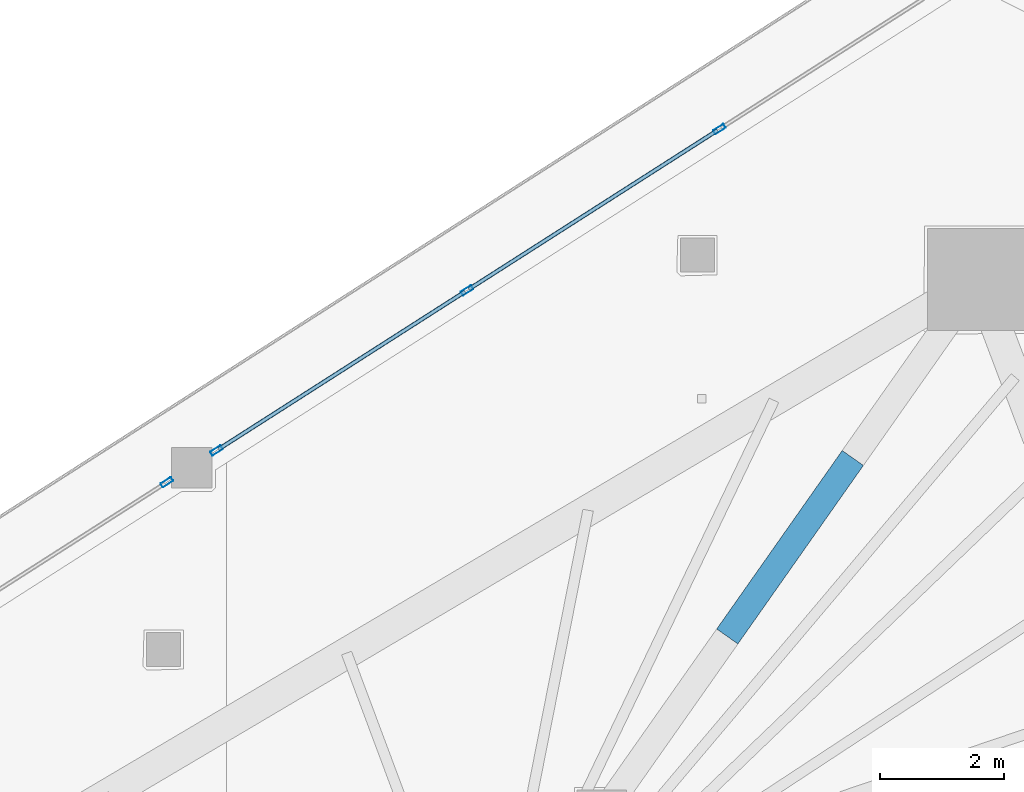
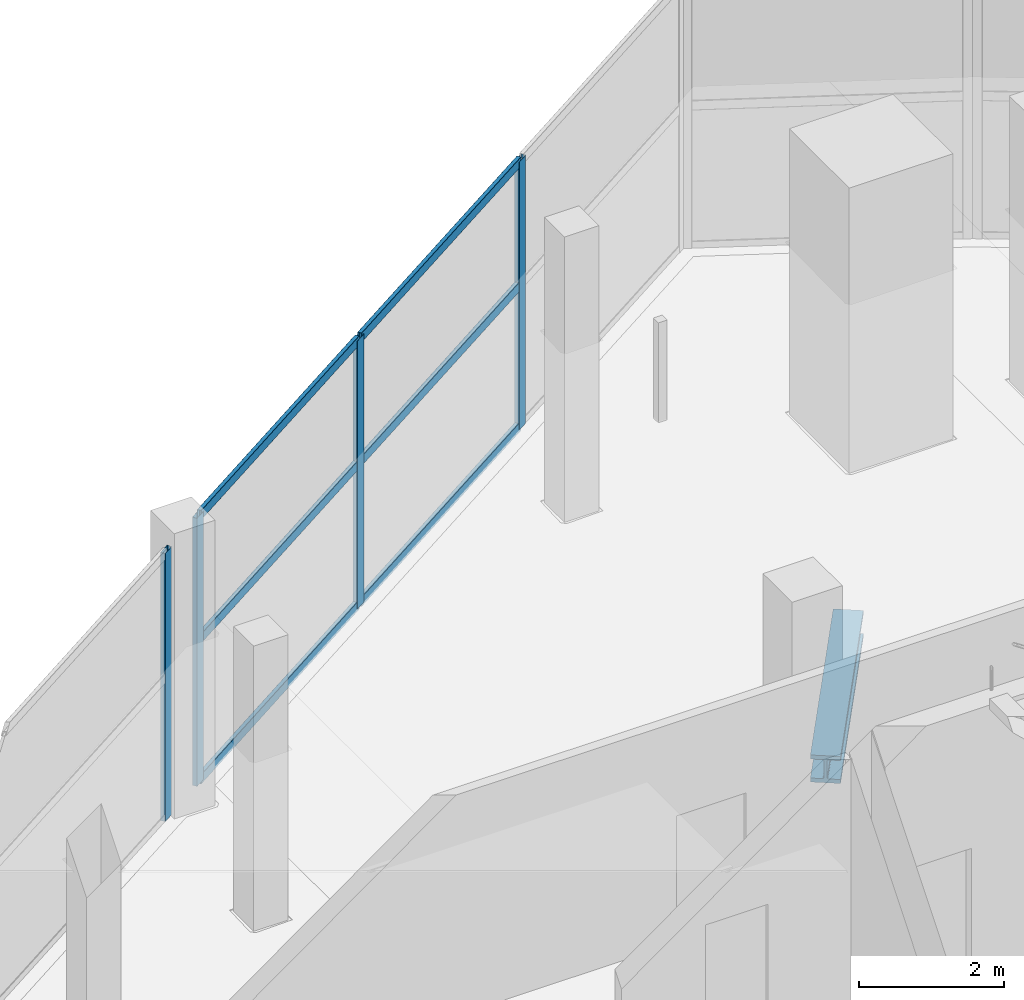
# One storey, part 18 of 36: 11 members, 2 elements without a shape of their own.
"""IFC4 building model written with IfcOpenShell, lengths in metres."""

from ifc_helpers import new_model, si_unit, direction, frame, origin, origin_2d, place, context, subcontext, project, spatial, hollow_rectangle, i_section, extrude, material, layer, layer_set, material_profile, profile_set, type_object, element, aggregate, save


model = new_model("IFC4")

# Units and contexts
model_context = context("Model", 3, precision=1e-05, world=origin(), true_north=direction((0.0, 1.0)))
body_context = subcontext(model_context, "Body", "Model", "MODEL_VIEW")
ifc_project = project(units=[si_unit("LENGTHUNIT", "METRE"), si_unit("AREAUNIT", "SQUARE_METRE"), si_unit("VOLUMEUNIT", "CUBIC_METRE"), si_unit("PLANEANGLEUNIT", "RADIAN"), si_unit("MASSUNIT", "GRAM", prefix="KILO")], contexts=[model_context])

# Site, building, storey
site_placement = place(None, origin())
site = spatial("IfcSite", under=ifc_project, at=site_placement, CompositionType="ELEMENT")
building_placement = place(site_placement, origin())
building = spatial("IfcBuilding", under=site, at=building_placement, Name="Qorvath Tower", CompositionType="ELEMENT")
storey_placement = place(building_placement, frame((0.0, 0.0, 255.0)))
storey = spatial("IfcBuildingStorey", under=building, at=storey_placement, Name="L59", CompositionType="ELEMENT", Elevation=255.0)

# Curtain wall, members
ifc_material_1 = material(Name="Anodised aluminium and triple low-E glass", Category="aluminium")
ifc_layer = layer(ifc_material_1, 0.179931640625)
ifc_layer_set = layer_set([ifc_layer], Name="CW-SYS-5")
curtain_wall_type = type_object("IfcCurtainWallType", Name="CW-SYS-5", PredefinedType="NOTDEFINED", material=ifc_layer_set)
curtain_wall_1_placement = place(storey_placement, origin())
curtain_wall_1 = element("IfcCurtainWall", 1, at=curtain_wall_1_placement, inside=storey, type_object=curtain_wall_type, Name="Curtain Wall CW-5 CW-T-L59-16.1", PredefinedType="NOTDEFINED")
ifc_material_2 = material(Name="Anodised aluminium 6063-T6", Category="aluminium")
ifc_material_profile_1 = material_profile(ifc_material_2, hollow_rectangle(XDim=0.074951171875, YDim=0.199951171875, WallThickness=0.00390625, InnerFilletRadius=0.00390625, OuterFilletRadius=0.008056640625, at=origin_2d()), Name="CWM 200x75")
ifc_profile_set_1 = profile_set([ifc_material_profile_1], Name="Anodised aluminium 6063-T6")
member_type_1 = type_object("IfcMemberType", Name="CWM-200", PredefinedType="MULLION", material=ifc_profile_set_1)
member_1_placement = place(storey_placement, frame((-21.69873046875, 22.53173828125, 0.0), z_axis=(0.0, 0.0, 1.0), x_axis=(0.538534907106, -0.842603200699, 0.0)))
member_1 = element("IfcMember", 2, at=member_1_placement, type_object=member_type_1, Name="CW-5 mullion 2", PredefinedType="MULLION", context=body_context, shape_type="SweptSolid", body=[
    extrude(hollow_rectangle(XDim=0.074951171875, YDim=0.199951171875, WallThickness=0.00390625, InnerFilletRadius=0.00390625, OuterFilletRadius=0.008056640625, at=origin_2d()), origin(), (0.0, 0.0, 1.0), 4.510009765625),
])
member_2_placement = place(storey_placement, frame((-25.77685546875, 19.92529296875, 0.0), z_axis=(0.0, 0.0, 1.0), x_axis=(0.538534907106, -0.842603200699, 0.0)))
member_2 = element("IfcMember", 3, at=member_2_placement, type_object=member_type_1, Name="CW-5 mullion 3", PredefinedType="MULLION", context=body_context, shape_type="SweptSolid", body=[
    extrude(hollow_rectangle(XDim=0.074951171875, YDim=0.199951171875, WallThickness=0.00390625, InnerFilletRadius=0.00390625, OuterFilletRadius=0.008056640625, at=origin_2d()), origin(), (0.0, 0.0, 1.0), 4.510009765625),
])
member_3_placement = place(storey_placement, frame((-29.823486328125, 17.339111328125, 0.0), z_axis=(0.0, 0.0, 1.0), x_axis=(0.538534907106, -0.842603200699, 0.0)))
member_3 = element("IfcMember", 4, at=member_3_placement, type_object=member_type_1, Name="CW-5 mullion 4", PredefinedType="MULLION", context=body_context, shape_type="SweptSolid", body=[
    extrude(hollow_rectangle(XDim=0.074951171875, YDim=0.199951171875, WallThickness=0.00390625, InnerFilletRadius=0.00390625, OuterFilletRadius=0.008056640625, at=origin_2d()), origin(), (0.0, 0.0, 1.0), 4.510009765625),
])

# Curtain wall, member
curtain_wall_2_placement = place(storey_placement, origin())
curtain_wall_2 = element("IfcCurtainWall", 5, at=curtain_wall_2_placement, inside=storey, type_object=curtain_wall_type, Name="Curtain Wall CW-5 CW-T-L59-16.2", PredefinedType="NOTDEFINED")
member_4_placement = place(storey_placement, frame((-30.626708984375, 16.82568359375, 0.0), z_axis=(0.0, 0.0, 1.0), x_axis=(0.538554959343, -0.842590384331, 0.0)))
member_4 = element("IfcMember", 6, at=member_4_placement, type_object=member_type_1, Name="CW-5 mullion 1", PredefinedType="MULLION", context=body_context, shape_type="SweptSolid", body=[
    extrude(hollow_rectangle(XDim=0.074951171875, YDim=0.199951171875, WallThickness=0.00390625, InnerFilletRadius=0.00390625, OuterFilletRadius=0.008056640625, at=origin_2d()), origin(), (0.0, 0.0, 1.0), 4.510009765625),
])
aggregate(curtain_wall_2, [member_4])

# Member
ifc_material_3 = material(Name="Anodised aluminium 6063-T6", Category="aluminium")
ifc_material_profile_2 = material_profile(ifc_material_3, hollow_rectangle(XDim=0.06494140625, YDim=0.159912109375, WallThickness=0.00341796875, InnerFilletRadius=0.00341796875, OuterFilletRadius=0.007080078125, at=origin_2d()), Name="CWT 160x65")
ifc_profile_set_2 = profile_set([ifc_material_profile_2], Name="Anodised aluminium 6063-T6")
member_type_2 = type_object("IfcMemberType", Name="CWT-160", PredefinedType="USERDEFINED", material=ifc_profile_set_2)
member_5_placement = place(storey_placement, frame((-21.730224609375, 22.511474609375, 0.032470703125), z_axis=(-0.842630390436, -0.538492363096, 0.0), x_axis=(0.538492363096, -0.842630390436, 0.0)))
member_5 = element("IfcMember", 7, at=member_5_placement, type_object=member_type_2, Name="CW-5 transom 2.1", ObjectType="TRANSOM", PredefinedType="USERDEFINED", context=body_context, shape_type="SweptSolid", body=[
    extrude(hollow_rectangle(XDim=0.06494140625, YDim=0.159912109375, WallThickness=0.00341796875, InnerFilletRadius=0.00341796875, OuterFilletRadius=0.007080078125, at=origin_2d()), origin(), (0.0, 0.0, 1.0), 4.764892578125),
])

member_6_placement = place(storey_placement, frame((-21.730224609375, 22.511474609375, 2.39990234375), z_axis=(-0.842630390436, -0.538492363096, 0.0), x_axis=(0.538492363096, -0.842630390436, 0.0)))
member_6 = element("IfcMember", 8, at=member_6_placement, type_object=member_type_2, Name="CW-5 transom 2.2", ObjectType="TRANSOM", PredefinedType="USERDEFINED", context=body_context, shape_type="SweptSolid", body=[
    extrude(hollow_rectangle(XDim=0.06494140625, YDim=0.159912109375, WallThickness=0.00341796875, InnerFilletRadius=0.00341796875, OuterFilletRadius=0.007080078125, at=origin_2d()), origin(), (0.0, 0.0, 1.0), 4.764892578125),
])

member_7_placement = place(storey_placement, frame((-21.730224609375, 22.511474609375, 4.4775390625), z_axis=(-0.842630390436, -0.538492363096, 0.0), x_axis=(0.538492363096, -0.842630390436, 0.0)))
member_7 = element("IfcMember", 9, at=member_7_placement, type_object=member_type_2, Name="CW-5 transom 2.3", ObjectType="TRANSOM", PredefinedType="USERDEFINED", context=body_context, shape_type="SweptSolid", body=[
    extrude(hollow_rectangle(XDim=0.06494140625, YDim=0.159912109375, WallThickness=0.00341796875, InnerFilletRadius=0.00341796875, OuterFilletRadius=0.007080078125, at=origin_2d()), origin(), (0.0, 0.0, 1.0), 4.764892578125),
])

member_8_placement = place(storey_placement, frame((-25.808349609375, 19.905029296875, 0.032470703125), z_axis=(-0.842605129906, -0.538531888616, 0.0), x_axis=(0.538531888616, -0.842605129906, 0.0)))
member_8 = element("IfcMember", 10, at=member_8_placement, type_object=member_type_2, Name="CW-5 transom 3.1", ObjectType="TRANSOM", PredefinedType="USERDEFINED", context=body_context, shape_type="SweptSolid", body=[
    extrude(hollow_rectangle(XDim=0.06494140625, YDim=0.159912109375, WallThickness=0.00341796875, InnerFilletRadius=0.00341796875, OuterFilletRadius=0.007080078125, at=origin_2d()), origin(), (0.0, 0.0, 1.0), 4.7275390625),
])

member_9_placement = place(storey_placement, frame((-25.808349609375, 19.905029296875, 2.39990234375), z_axis=(-0.842605129906, -0.538531888616, 0.0), x_axis=(0.538531888616, -0.842605129906, 0.0)))
member_9 = element("IfcMember", 11, at=member_9_placement, type_object=member_type_2, Name="CW-5 transom 3.2", ObjectType="TRANSOM", PredefinedType="USERDEFINED", context=body_context, shape_type="SweptSolid", body=[
    extrude(hollow_rectangle(XDim=0.06494140625, YDim=0.159912109375, WallThickness=0.00341796875, InnerFilletRadius=0.00341796875, OuterFilletRadius=0.007080078125, at=origin_2d()), origin(), (0.0, 0.0, 1.0), 4.7275390625),
])

member_10_placement = place(storey_placement, frame((-25.808349609375, 19.905029296875, 4.4775390625), z_axis=(-0.842605129906, -0.538531888616, 0.0), x_axis=(0.538531888616, -0.842605129906, 0.0)))
member_10 = element("IfcMember", 12, at=member_10_placement, type_object=member_type_2, Name="CW-5 transom 3.3", ObjectType="TRANSOM", PredefinedType="USERDEFINED", context=body_context, shape_type="SweptSolid", body=[
    extrude(hollow_rectangle(XDim=0.06494140625, YDim=0.159912109375, WallThickness=0.00341796875, InnerFilletRadius=0.00341796875, OuterFilletRadius=0.007080078125, at=origin_2d()), origin(), (0.0, 0.0, 1.0), 4.7275390625),
])

aggregate(curtain_wall_1, [member_1, member_2, member_3, member_5, member_6, member_7, member_8, member_9, member_10])

ifc_material_4 = material(Name="Steel ASTM A913 Grade 65", Category="steel")
ifc_material_profile_3 = material_profile(ifc_material_4, i_section(OverallWidth=0.4189453125, OverallDepth=0.455078125, WebThickness=0.0419921875, FlangeThickness=0.067626953125, FilletRadius=0.02490234375, at=origin_2d()), Name="W14x370")
ifc_profile_set_3 = profile_set([ifc_material_profile_3], Name="Steel ASTM A913 Grade 65")
member_type_3 = type_object("IfcMemberType", Name="MEM-OT2", PredefinedType="CHORD", material=ifc_profile_set_3)
member_11_placement = place(storey_placement, frame((-21.57177734375, 14.333984375, -0.85009765625), z_axis=(0.575254947697, 0.817974171445, 0.0), x_axis=(-0.817974171445, 0.575254947697, 0.0)))
element("IfcMember", 13, at=member_11_placement, inside=storey, type_object=member_type_3, Name="Outrigger and Belt Truss Top Chord OB3-1.2", PredefinedType="CHORD", context=body_context, shape_type="SweptSolid", body=[
    extrude(i_section(OverallWidth=0.4189453125, OverallDepth=0.455078125, WebThickness=0.0419921875, FlangeThickness=0.067626953125, FilletRadius=0.02490234375, at=origin_2d()), origin(), (0.0, 0.0, 1.0), 3.525634765625),
])

save(model, "model.ifc")
